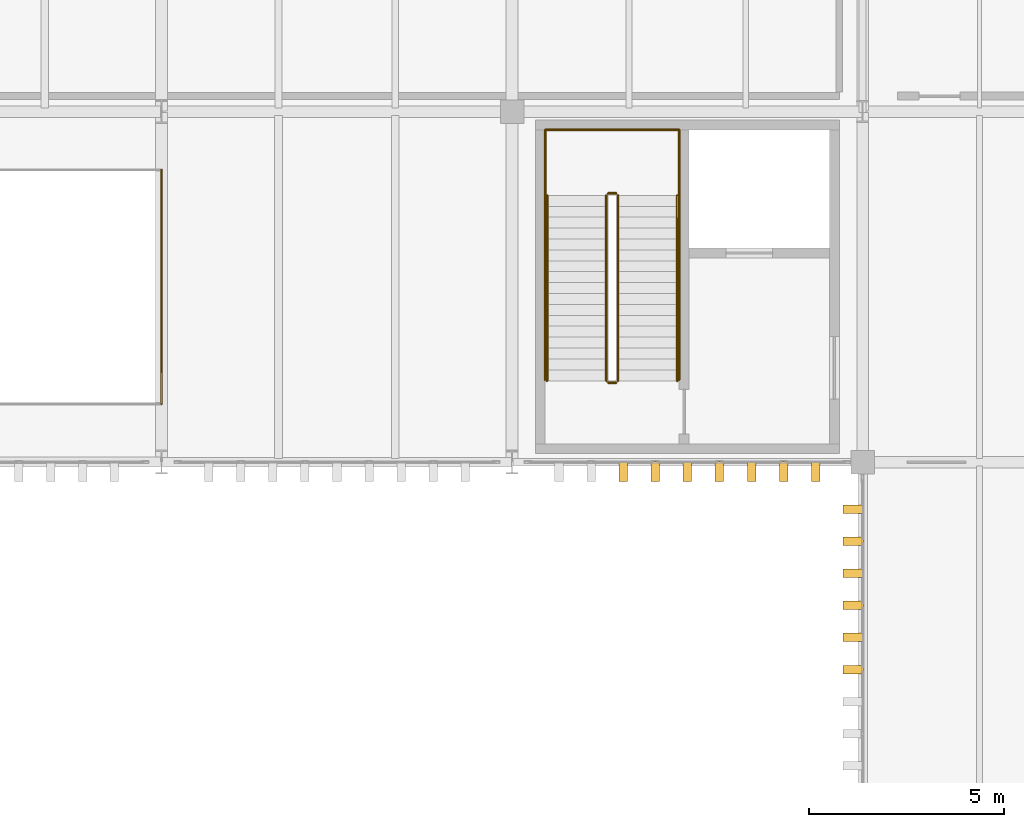
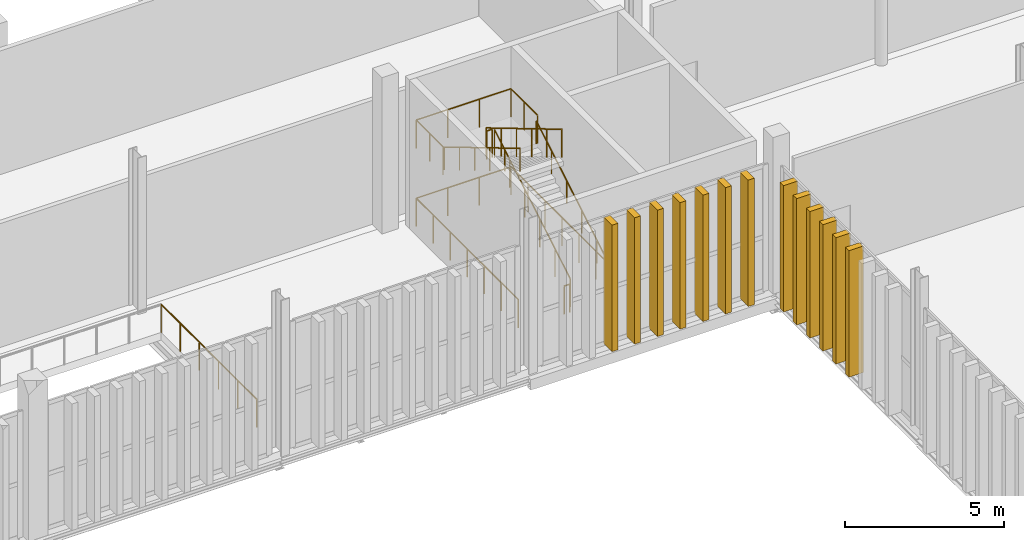
# One storey, part 221 of 237: 13 railings, 13 shading devices.
"""IFC4 building model written with IfcOpenShell, lengths in metres."""

from ifc_helpers import new_model, si_unit, direction, frame, origin, origin_2d, place, context, subcontext, project, spatial, rectangle, circle, extrude, material, type_object, element, save


model = new_model("IFC4")

# Units and contexts
model_context = context("Model", 3, precision=1e-05, world=origin(), true_north=direction((0.0, 1.0)))
body_context = subcontext(model_context, "Body", "Model", "MODEL_VIEW")
ifc_project = project(units=[si_unit("LENGTHUNIT", "METRE"), si_unit("AREAUNIT", "SQUARE_METRE"), si_unit("VOLUMEUNIT", "CUBIC_METRE"), si_unit("PLANEANGLEUNIT", "RADIAN"), si_unit("MASSUNIT", "GRAM", prefix="KILO")], contexts=[model_context])

# Site, building, storey
site_placement = place(None, origin())
site = spatial("IfcSite", under=ifc_project, at=site_placement, CompositionType="ELEMENT")
building_placement = place(site_placement, origin())
building = spatial("IfcBuilding", under=site, at=building_placement, Name="Barlavento Convention Centre", CompositionType="ELEMENT")
storey_placement = place(building_placement, frame((0.0, 0.0, 12.0)))
storey = spatial("IfcBuildingStorey", under=building, at=storey_placement, Name="L02", CompositionType="ELEMENT", Elevation=12.0)

# Railings
ifc_material_1 = material(Name="Stainless steel and laminated glass balustrade", Category="steel")
railing_type_1 = type_object("IfcRailingType", Name="ARC-RAL-BAL-1100", PredefinedType="BALUSTRADE", material=ifc_material_1)
railing_1_placement = place(storey_placement, frame((119.719970703125, 47.090087890625, 0.166748046875)))
element("IfcRailing", 1, at=railing_1_placement, inside=storey, type_object=railing_type_1, Name="L02 ST04 stair guard 1", PredefinedType="BALUSTRADE", context=body_context, shape_type="SweptSolid", body=[
    extrude(circle(Radius=0.02392578125, at=origin_2d()), frame((0.0, 0.0, 1.076171875), z_axis=(0.0, 0.859299802514, 0.511472237174), x_axis=(-1.0, 0.0, 0.0)), (0.0, 0.0, 1.0), 5.539306640625),
    extrude(circle(Radius=0.02099609375, at=origin_2d()), origin(), (0.0, 0.0, 1.0), 1.052001953125),
    extrude(circle(Radius=0.02099609375, at=origin_2d()), frame((0.0, 0.951904296875, 0.566650390625)), (0.0, 0.0, 1.0), 1.052001953125),
    extrude(circle(Radius=0.02099609375, at=origin_2d()), frame((0.0, 1.904052734375, 1.13330078125)), (0.0, 0.0, 1.0), 1.052001953125),
    extrude(circle(Radius=0.02099609375, at=origin_2d()), frame((0.0, 2.85595703125, 1.699951171875)), (0.0, 0.0, 1.0), 1.052001953125),
    extrude(circle(Radius=0.02099609375, at=origin_2d()), frame((0.0, 3.80810546875, 2.2666015625)), (0.0, 0.0, 1.0), 1.052001953125),
    extrude(circle(Radius=0.02099609375, at=origin_2d()), frame((0.0, 4.760009765625, 2.833251953125)), (0.0, 0.0, 1.0), 1.052001953125),
])
railing_2_placement = place(storey_placement, frame((119.669921875, 51.89990234375, 3.0)))
element("IfcRailing", 2, at=railing_2_placement, inside=storey, type_object=railing_type_1, Name="L02 ST04 stair guard 2", PredefinedType="BALUSTRADE", context=body_context, shape_type="SweptSolid", body=[
    extrude(circle(Radius=0.02392578125, at=origin_2d()), frame((0.0, 0.0, 1.076171875), z_axis=(-1.0, 0.0, 0.0), x_axis=(0.0, -1.0, 0.0)), (0.0, 0.0, 1.0), 0.199951171875),
    extrude(circle(Radius=0.02099609375, at=origin_2d()), origin(), (0.0, 0.0, 1.0), 1.052001953125),
    extrude(circle(Radius=0.02099609375, at=origin_2d()), frame((-0.199951171875, 0.0, 0.0)), (0.0, 0.0, 1.0), 1.052001953125),
])
railing_3_placement = place(storey_placement, frame((119.419921875, 51.85009765625, 3.166748046875)))
element("IfcRailing", 3, at=railing_3_placement, inside=storey, type_object=railing_type_1, Name="L02 ST04 stair guard 3", PredefinedType="BALUSTRADE", context=body_context, shape_type="SweptSolid", body=[
    extrude(circle(Radius=0.02392578125, at=origin_2d()), frame((0.0, 0.0, 1.076171875), z_axis=(0.0, -0.859299802514, 0.511472237174), x_axis=(1.0, 0.0, 0.0)), (0.0, 0.0, 1.0), 5.539306640625),
    extrude(circle(Radius=0.02099609375, at=origin_2d()), origin(), (0.0, 0.0, 1.0), 1.052001953125),
    extrude(circle(Radius=0.02099609375, at=origin_2d()), frame((0.0, -0.951904296875, 0.566650390625)), (0.0, 0.0, 1.0), 1.052001953125),
    extrude(circle(Radius=0.02099609375, at=origin_2d()), frame((0.0, -1.904052734375, 1.13330078125)), (0.0, 0.0, 1.0), 1.052001953125),
    extrude(circle(Radius=0.02099609375, at=origin_2d()), frame((0.0, -2.85595703125, 1.699951171875)), (0.0, 0.0, 1.0), 1.052001953125),
    extrude(circle(Radius=0.02099609375, at=origin_2d()), frame((0.0, -3.80810546875, 2.2666015625)), (0.0, 0.0, 1.0), 1.052001953125),
    extrude(circle(Radius=0.02099609375, at=origin_2d()), frame((0.0, -4.760009765625, 2.833251953125)), (0.0, 0.0, 1.0), 1.052001953125),
])
railing_4_placement = place(storey_placement, frame((119.669921875, 47.0400390625, 0.0)))
element("IfcRailing", 4, at=railing_4_placement, inside=storey, type_object=railing_type_1, Name="L02 ST04 stair guard 4", PredefinedType="BALUSTRADE", context=body_context, shape_type="SweptSolid", body=[
    extrude(circle(Radius=0.02392578125, at=origin_2d()), frame((0.0, 0.0, 1.076171875), z_axis=(-1.0, 0.0, 0.0), x_axis=(0.0, -1.0, 0.0)), (0.0, 0.0, 1.0), 0.199951171875),
    extrude(circle(Radius=0.02099609375, at=origin_2d()), origin(), (0.0, 0.0, 1.0), 1.052001953125),
    extrude(circle(Radius=0.02099609375, at=origin_2d()), frame((-0.199951171875, 0.0, 0.0)), (0.0, 0.0, 1.0), 1.052001953125),
])
for number, where, name in (
    (5, (121.2900390625, 51.85009765625, 3.0), "L02 landing guard GR01"),
    (6, (117.85009765625, 51.85009765625, 3.0), "L02 landing guard GR01"),
):
    element("IfcRailing", number, at=place(storey_placement, frame(where)), inside=storey, type_object=railing_type_1, Name=name, PredefinedType="BALUSTRADE", context=body_context, shape_type="SweptSolid", body=[
        extrude(circle(Radius=0.02392578125, at=origin_2d()), frame((0.0, 0.0, 1.076171875), z_axis=(0.0, 1.0, 0.0), x_axis=(-1.0, 0.0, 0.0)), (0.0, 0.0, 1.0), 1.679931640625),
        extrude(circle(Radius=0.02099609375, at=origin_2d()), origin(), (0.0, 0.0, 1.0), 1.052001953125),
        extrude(circle(Radius=0.02099609375, at=origin_2d()), frame((0.0, 0.83984375, 0.0)), (0.0, 0.0, 1.0), 1.052001953125),
        extrude(circle(Radius=0.02099609375, at=origin_2d()), frame((0.0, 1.679931640625, 0.0)), (0.0, 0.0, 1.0), 1.052001953125),
    ])
railing_5_placement = place(storey_placement, frame((121.2900390625, 53.530029296875, 3.0)))
element("IfcRailing", 7, at=railing_5_placement, inside=storey, type_object=railing_type_1, Name="L02 landing guard GR01", PredefinedType="BALUSTRADE", context=body_context, shape_type="SweptSolid", body=[
    extrude(circle(Radius=0.02392578125, at=origin_2d()), frame((0.0, 0.0, 1.076171875), z_axis=(-1.0, 0.0, 0.0), x_axis=(0.0, -1.0, 0.0)), (0.0, 0.0, 1.0), 3.43994140625),
    extrude(circle(Radius=0.02099609375, at=origin_2d()), origin(), (0.0, 0.0, 1.0), 1.052001953125),
    extrude(circle(Radius=0.02099609375, at=origin_2d()), frame((-1.146728515625, 0.0, 0.0)), (0.0, 0.0, 1.0), 1.052001953125),
    extrude(circle(Radius=0.02099609375, at=origin_2d()), frame((-2.293212890625, 0.0, 0.0)), (0.0, 0.0, 1.0), 1.052001953125),
    extrude(circle(Radius=0.02099609375, at=origin_2d()), frame((-3.43994140625, 0.0, 0.0)), (0.0, 0.0, 1.0), 1.052001953125),
])
railing_6_placement = place(storey_placement, frame((121.2900390625, 47.114990234375, 0.0)))
element("IfcRailing", 8, at=railing_6_placement, inside=storey, type_object=railing_type_1, Name="L02 stairwell perimeter guard GR01", PredefinedType="BALUSTRADE", context=body_context, shape_type="SweptSolid", body=[
    extrude(circle(Radius=0.02392578125, at=origin_2d()), frame((0.0, 0.0, 1.076171875), z_axis=(0.0, 1.0, 0.0), x_axis=(-1.0, 0.0, 0.0)), (0.0, 0.0, 1.0), 6.4150390625),
    extrude(circle(Radius=0.02099609375, at=origin_2d()), origin(), (0.0, 0.0, 1.0), 1.052001953125),
    extrude(circle(Radius=0.02099609375, at=origin_2d()), frame((0.0, 1.069091796875, 0.0)), (0.0, 0.0, 1.0), 1.052001953125),
    extrude(circle(Radius=0.02099609375, at=origin_2d()), frame((0.0, 2.138427734375, 0.0)), (0.0, 0.0, 1.0), 1.052001953125),
    extrude(circle(Radius=0.02099609375, at=origin_2d()), frame((0.0, 3.20751953125, 0.0)), (0.0, 0.0, 1.0), 1.052001953125),
    extrude(circle(Radius=0.02099609375, at=origin_2d()), frame((0.0, 4.276611328125, 0.0)), (0.0, 0.0, 1.0), 1.052001953125),
    extrude(circle(Radius=0.02099609375, at=origin_2d()), frame((0.0, 5.345947265625, 0.0)), (0.0, 0.0, 1.0), 1.052001953125),
    extrude(circle(Radius=0.02099609375, at=origin_2d()), frame((0.0, 6.4150390625, 0.0)), (0.0, 0.0, 1.0), 1.052001953125),
])
railing_7_placement = place(storey_placement, frame((121.2900390625, 53.530029296875, 0.0)))
element("IfcRailing", 9, at=railing_7_placement, inside=storey, type_object=railing_type_1, Name="L02 stairwell perimeter guard GR01", PredefinedType="BALUSTRADE", context=body_context, shape_type="SweptSolid", body=[
    extrude(circle(Radius=0.02392578125, at=origin_2d()), frame((0.0, 0.0, 1.076171875), z_axis=(-1.0, 0.0, 0.0), x_axis=(0.0, -1.0, 0.0)), (0.0, 0.0, 1.0), 3.43994140625),
    extrude(circle(Radius=0.02099609375, at=origin_2d()), origin(), (0.0, 0.0, 1.0), 1.052001953125),
    extrude(circle(Radius=0.02099609375, at=origin_2d()), frame((-1.146728515625, 0.0, 0.0)), (0.0, 0.0, 1.0), 1.052001953125),
    extrude(circle(Radius=0.02099609375, at=origin_2d()), frame((-2.293212890625, 0.0, 0.0)), (0.0, 0.0, 1.0), 1.052001953125),
    extrude(circle(Radius=0.02099609375, at=origin_2d()), frame((-3.43994140625, 0.0, 0.0)), (0.0, 0.0, 1.0), 1.052001953125),
])
railing_8_placement = place(storey_placement, frame((117.85009765625, 53.530029296875, 0.0)))
element("IfcRailing", 10, at=railing_8_placement, inside=storey, type_object=railing_type_1, Name="L02 stairwell perimeter guard GR01", PredefinedType="BALUSTRADE", context=body_context, shape_type="SweptSolid", body=[
    extrude(circle(Radius=0.02392578125, at=origin_2d()), frame((0.0, 0.0, 1.076171875), z_axis=(0.0, -1.0, 0.0), x_axis=(1.0, 0.0, 0.0)), (0.0, 0.0, 1.0), 6.4150390625),
    extrude(circle(Radius=0.02099609375, at=origin_2d()), origin(), (0.0, 0.0, 1.0), 1.052001953125),
    extrude(circle(Radius=0.02099609375, at=origin_2d()), frame((0.0, -1.069091796875, 0.0)), (0.0, 0.0, 1.0), 1.052001953125),
    extrude(circle(Radius=0.02099609375, at=origin_2d()), frame((0.0, -2.138427734375, 0.0)), (0.0, 0.0, 1.0), 1.052001953125),
    extrude(circle(Radius=0.02099609375, at=origin_2d()), frame((0.0, -3.20751953125, 0.0)), (0.0, 0.0, 1.0), 1.052001953125),
    extrude(circle(Radius=0.02099609375, at=origin_2d()), frame((0.0, -4.276611328125, 0.0)), (0.0, 0.0, 1.0), 1.052001953125),
    extrude(circle(Radius=0.02099609375, at=origin_2d()), frame((0.0, -5.345947265625, 0.0)), (0.0, 0.0, 1.0), 1.052001953125),
    extrude(circle(Radius=0.02099609375, at=origin_2d()), frame((0.0, -6.4150390625, 0.0)), (0.0, 0.0, 1.0), 1.052001953125),
])
railing_9_placement = place(storey_placement, frame((108.0, 46.5, 0.0)))
element("IfcRailing", 11, at=railing_9_placement, inside=storey, type_object=railing_type_1, Name="L02 interior atrium or gallery balustrade GR01", PredefinedType="BALUSTRADE", context=body_context, shape_type="SweptSolid", body=[
    extrude(circle(Radius=0.02392578125, at=origin_2d()), frame((0.0, 0.0, 1.076171875), z_axis=(0.0, 1.0, 0.0), x_axis=(-1.0, 0.0, 0.0)), (0.0, 0.0, 1.0), 6.0),
    extrude(circle(Radius=0.02099609375, at=origin_2d()), origin(), (0.0, 0.0, 1.0), 1.052001953125),
    extrude(circle(Radius=0.02099609375, at=origin_2d()), frame((0.0, 1.199951171875, 0.0)), (0.0, 0.0, 1.0), 1.052001953125),
    extrude(circle(Radius=0.02099609375, at=origin_2d()), frame((0.0, 2.39990234375, 0.0)), (0.0, 0.0, 1.0), 1.052001953125),
    extrude(circle(Radius=0.02099609375, at=origin_2d()), frame((0.0, 3.60009765625, 0.0)), (0.0, 0.0, 1.0), 1.052001953125),
    extrude(circle(Radius=0.02099609375, at=origin_2d()), frame((0.0, 4.800048828125, 0.0)), (0.0, 0.0, 1.0), 1.052001953125),
    extrude(circle(Radius=0.02099609375, at=origin_2d()), frame((0.0, 6.0, 0.0)), (0.0, 0.0, 1.0), 1.052001953125),
])
ifc_material_2 = material(Name="Brushed stainless steel tubular handrail", Category="steel")
railing_type_2 = type_object("IfcRailingType", Name="ARC-RAL-HR-900", PredefinedType="HANDRAIL", material=ifc_material_2)
railing_10_placement = place(storey_placement, frame((121.239990234375, 47.090087890625, 0.166748046875)))
element("IfcRailing", 12, at=railing_10_placement, inside=storey, type_object=railing_type_2, Name="L02 ST04 stair handrail 1", PredefinedType="HANDRAIL", context=body_context, shape_type="SweptSolid", body=[
    extrude(circle(Radius=0.02392578125, at=origin_2d()), frame((0.0, 0.0, 0.8759765625), z_axis=(0.0, 0.859299802514, 0.511472237174), x_axis=(-1.0, 0.0, 0.0)), (0.0, 0.0, 1.0), 5.539306640625),
    extrude(circle(Radius=0.02099609375, at=origin_2d()), origin(), (0.0, 0.0, 1.0), 0.851806640625),
    extrude(circle(Radius=0.02099609375, at=origin_2d()), frame((0.0, 0.951904296875, 0.566650390625)), (0.0, 0.0, 1.0), 0.851806640625),
    extrude(circle(Radius=0.02099609375, at=origin_2d()), frame((0.0, 1.904052734375, 1.13330078125)), (0.0, 0.0, 1.0), 0.851806640625),
    extrude(circle(Radius=0.02099609375, at=origin_2d()), frame((0.0, 2.85595703125, 1.699951171875)), (0.0, 0.0, 1.0), 0.851806640625),
    extrude(circle(Radius=0.02099609375, at=origin_2d()), frame((0.0, 3.80810546875, 2.2666015625)), (0.0, 0.0, 1.0), 0.851806640625),
    extrude(circle(Radius=0.02099609375, at=origin_2d()), frame((0.0, 4.760009765625, 2.833251953125)), (0.0, 0.0, 1.0), 0.851806640625),
])
railing_11_placement = place(storey_placement, frame((117.89990234375, 51.85009765625, 3.166748046875)))
element("IfcRailing", 13, at=railing_11_placement, inside=storey, type_object=railing_type_2, Name="L02 ST04 stair handrail 2", PredefinedType="HANDRAIL", context=body_context, shape_type="SweptSolid", body=[
    extrude(circle(Radius=0.02392578125, at=origin_2d()), frame((0.0, 0.0, 0.8759765625), z_axis=(0.0, -0.859299802514, 0.511472237174), x_axis=(1.0, 0.0, 0.0)), (0.0, 0.0, 1.0), 5.539306640625),
    extrude(circle(Radius=0.02099609375, at=origin_2d()), origin(), (0.0, 0.0, 1.0), 0.851806640625),
    extrude(circle(Radius=0.02099609375, at=origin_2d()), frame((0.0, -0.951904296875, 0.566650390625)), (0.0, 0.0, 1.0), 0.851806640625),
    extrude(circle(Radius=0.02099609375, at=origin_2d()), frame((0.0, -1.904052734375, 1.13330078125)), (0.0, 0.0, 1.0), 0.851806640625),
    extrude(circle(Radius=0.02099609375, at=origin_2d()), frame((0.0, -2.85595703125, 1.699951171875)), (0.0, 0.0, 1.0), 0.851806640625),
    extrude(circle(Radius=0.02099609375, at=origin_2d()), frame((0.0, -3.80810546875, 2.2666015625)), (0.0, 0.0, 1.0), 0.851806640625),
    extrude(circle(Radius=0.02099609375, at=origin_2d()), frame((0.0, -4.760009765625, 2.833251953125)), (0.0, 0.0, 1.0), 0.851806640625),
])

# Shading devices
ifc_material_3 = material(Name="PVDF white extruded aluminium", Category="aluminium")
shading_device_type = type_object("IfcShadingDeviceType", Name="ARC-SHD-FIN-480", PredefinedType="USERDEFINED", material=ifc_material_3)
for number, where, z_axis, x_axis, name in (
    (14, (119.85205078125, 44.760009765625, 0.0), (0.0, 0.0, 1.0), (1.0, 0.0, 0.0), "White vertical solar shading fin VF01"),
    (15, (120.676025390625, 44.760009765625, 0.0), (0.0, 0.0, 1.0), (1.0, 0.0, 0.0), "White vertical solar shading fin VF01"),
    (16, (121.5, 44.760009765625, 0.0), (0.0, 0.0, 1.0), (1.0, 0.0, 0.0), "White vertical solar shading fin VF01"),
    (17, (122.323974609375, 44.760009765625, 0.0), (0.0, 0.0, 1.0), (1.0, 0.0, 0.0), "White vertical solar shading fin VF01"),
    (18, (123.14794921875, 44.760009765625, 0.0), (0.0, 0.0, 1.0), (1.0, 0.0, 0.0), "White vertical solar shading fin VF01"),
    (19, (123.971923828125, 44.760009765625, 0.0), (0.0, 0.0, 1.0), (1.0, 0.0, 0.0), "White vertical solar shading fin VF01"),
    (20, (124.7958984375, 44.760009765625, 0.0), (0.0, 0.0, 1.0), (1.0, 0.0, 0.0), "White vertical solar shading fin VF01"),
    (21, (125.760009765625, 39.676025390625, 0.0), (0.0, 0.0, 1.0), (0.0, 1.0, 0.0), "White vertical solar shading fin VF01"),
    (22, (125.760009765625, 40.5, 0.0), (0.0, 0.0, 1.0), (0.0, 1.0, 0.0), "White vertical solar shading fin VF01"),
    (23, (125.760009765625, 41.323974609375, 0.0), (0.0, 0.0, 1.0), (0.0, 1.0, 0.0), "White vertical solar shading fin VF01"),
    (24, (125.760009765625, 42.14794921875, 0.0), (0.0, 0.0, 1.0), (0.0, 1.0, 0.0), "White vertical solar shading fin VF01"),
    (25, (125.760009765625, 42.971923828125, 0.0), (0.0, 0.0, 1.0), (0.0, 1.0, 0.0), "White vertical solar shading fin VF01"),
    (26, (125.760009765625, 43.7958984375, 0.0), (0.0, 0.0, 1.0), (0.0, 1.0, 0.0), "White vertical solar shading fin VF01"),
):
    element("IfcShadingDevice", number, at=place(storey_placement, frame(where, z_axis=z_axis, x_axis=x_axis)), inside=storey, type_object=shading_device_type, Name=name, ObjectType="FIN", PredefinedType="USERDEFINED", context=body_context, shape_type="SweptSolid", body=[
        extrude(rectangle(XDim=0.219970703125, YDim=0.52001953125, at=origin_2d()), origin(), (0.0, 0.0, 1.0), 4.85009765625),
    ])

save(model, "model.ifc")
